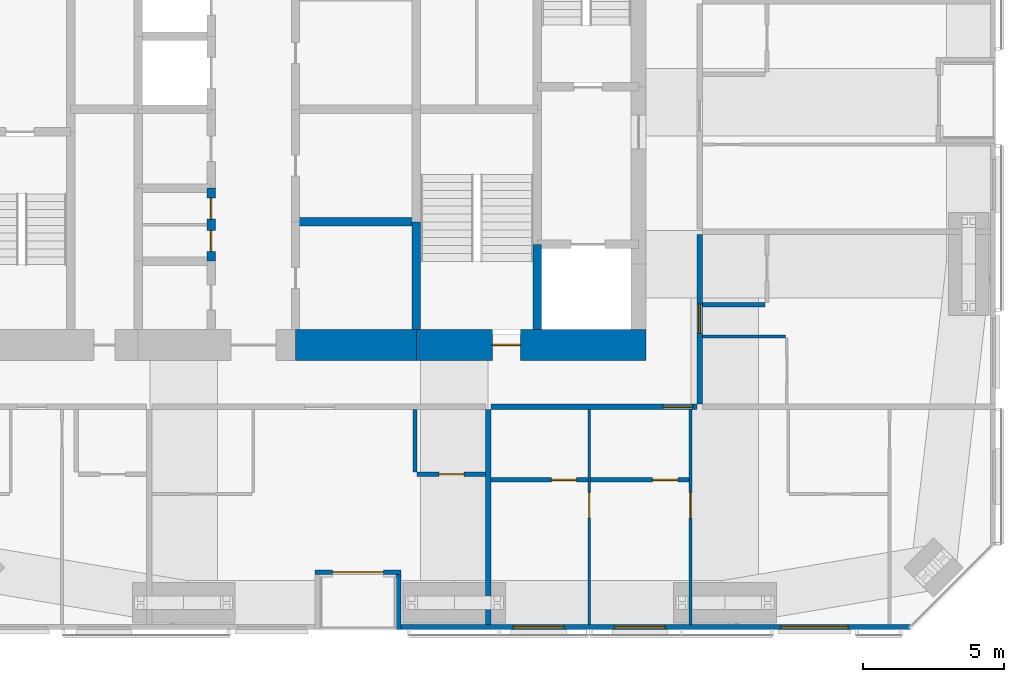
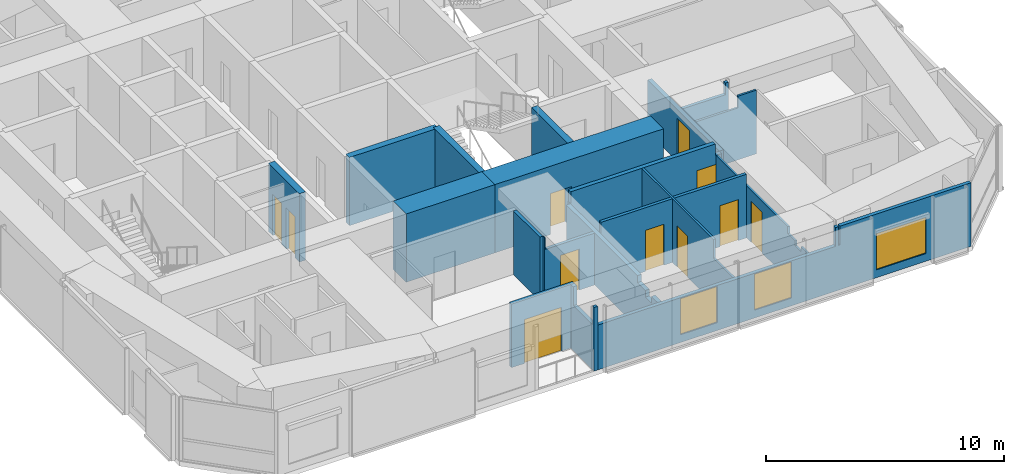
# One storey, part 14 of 19: 20 walls, 11 doors, 3 windows, 14 openings.
"""IFC4 building model written with IfcOpenShell, lengths in metres."""

from ifc_helpers import new_model, si_unit, direction, frame, frame_2d, origin, place, context, subcontext, project, spatial, polyline, rectangle, outline, extrude, material, layer, layer_set, constituent, constituent_set, type_object, element, fill, save


model = new_model("IFC4")

# Units and contexts
model_context = context("Model", 3, precision=1e-05, world=origin(), true_north=direction((0.0, 1.0)))
body_context = subcontext(model_context, "Body", "Model", "MODEL_VIEW")
ifc_project = project(units=[si_unit("LENGTHUNIT", "METRE"), si_unit("AREAUNIT", "SQUARE_METRE"), si_unit("VOLUMEUNIT", "CUBIC_METRE"), si_unit("PLANEANGLEUNIT", "RADIAN"), si_unit("MASSUNIT", "GRAM", prefix="KILO")], contexts=[model_context])

# Site, building, storey
site_placement = place(None, origin())
site = spatial("IfcSite", under=ifc_project, at=site_placement, CompositionType="ELEMENT")
building_placement = place(site_placement, origin())
building = spatial("IfcBuilding", under=site, at=building_placement, Name="Jalousie Tower", CompositionType="ELEMENT")
storey_placement = place(building_placement, frame((0.0, 0.0, 224.949951171875)))
storey = spatial("IfcBuildingStorey", under=building, at=storey_placement, Name="L61", CompositionType="ELEMENT", Elevation=224.949951171875)

# Wall, opening, door
ifc_material_1 = material(Name="Concrete block ASTM C90", Category="concrete")
ifc_constituent_1 = constituent(ifc_material_1, Name="Body")
ifc_material_2 = material(Name="Render")
ifc_constituent_2 = constituent(ifc_material_2, Name="Finish")
ifc_constituent_set_1 = constituent_set(constituents=[ifc_constituent_1, ifc_constituent_2])
wall_type_1 = type_object("IfcWallType", Name="BATHROOM WALL 150", PredefinedType="PLUMBINGWALL", material=ifc_constituent_set_1)
wall_1_placement = place(storey_placement, frame((35.925048828125, 5.52490234375, 0.0), z_axis=(0.0, 0.0, 1.0), x_axis=(1.0, 0.0, 0.0)))
wall_1 = element("IfcWall", 1, at=wall_1_placement, inside=storey, type_object=wall_type_1, Name="Bathroom Wall 150 L61", PredefinedType="PLUMBINGWALL", context=body_context, shape_type="SweptSolid", body=[
    extrude(outline(polyline([(0.0, 0.0), (2.425048828125, 0.0), (2.425048828125, 3.260009765625), (2.425048828125, 2.66015625), (0.0400390625, 2.66015625), (0.0400390625, 3.260009765625), (0.0, 3.260009765625), (0.0, 0.0)])), frame((0.0, 0.074951171875, 0.0), z_axis=(0.0, -1.0, 0.0), x_axis=(1.0, 0.0, 0.0)), (0.0, 0.0, 1.0), 0.14990234375),
])
opening_1_placement = place(wall_1_placement, frame((0.77490234375, 0.0, 0.0)))
opening_1 = element("IfcOpeningElement", 2, at=opening_1_placement, cuts=wall_1, Name="Opening D3", PredefinedType="OPENING", context=body_context, shape_type="SweptSolid", body=[
    extrude(rectangle(XDim=0.89990234375, YDim=2.10009765625, at=frame_2d((0.449951171875, 1.050048828125))), frame((0.0, 0.0849609375, 0.0), z_axis=(0.0, -1.0, 0.0), x_axis=(1.0, 0.0, 0.0)), (0.0, 0.0, 1.0), 0.169921875),
])
ifc_material_3 = material(Name="Timber door", Category="wood")
door_type_1 = type_object("IfcDoorType", Name="BATHROOM DOOR 900", OperationType="SINGLE_SWING_LEFT", PredefinedType="DOOR", material=ifc_material_3)
door_1_placement = place(opening_1_placement, origin())
door_1 = element("IfcDoor", 3, at=door_1_placement, inside=storey, type_object=door_type_1, Name="Apartment 6102 bathroom door", OperationType="SINGLE_SWING_RIGHT", OverallHeight=2.10009765625, OverallWidth=0.89990234375, PredefinedType="DOOR", context=body_context, shape_type="SweptSolid", body=[
    extrude(rectangle(XDim=0.89990234375, YDim=2.10009765625, at=frame_2d((0.449951171875, 1.050048828125))), frame((0.0, 0.02490234375, 0.0), z_axis=(0.0, -1.0, 0.0), x_axis=(1.0, 0.0, 0.0)), (0.0, 0.0, 1.0), 0.050048828125),
])
fill(opening_1, door_1)

# Wall
wall_2_placement = place(storey_placement, frame((35.85009765625, 5.60009765625, 0.0), z_axis=(0.0, 0.0, 1.0), x_axis=(0.0, 1.0, 0.0)))
element("IfcWall", 4, at=wall_2_placement, inside=storey, type_object=wall_type_1, Name="Bathroom Wall 150 L61", PredefinedType="PLUMBINGWALL", context=body_context, shape_type="SweptSolid", body=[
    extrude(rectangle(XDim=2.224853515625, YDim=0.14990234375, at=frame_2d((1.1123046875, 0.0))), origin(), (0.0, 0.0, 1.0), 3.260009765625),
])

# Wall, opening, door
wall_3_placement = place(storey_placement, frame((38.550048828125, 5.324951171875, 0.0), z_axis=(0.0, 0.0, 1.0), x_axis=(1.0, 0.0, 0.0)))
wall_3 = element("IfcWall", 5, at=wall_3_placement, inside=storey, type_object=wall_type_1, Name="Bathroom Wall 150 L61", PredefinedType="PLUMBINGWALL", context=body_context, shape_type="SweptSolid", body=[
    extrude(rectangle(XDim=3.449951171875, YDim=0.14990234375, at=frame_2d((1.72509765625, 0.0))), origin(), (0.0, 0.0, 1.0), 3.260009765625),
])
opening_2_placement = place(wall_3_placement, frame((2.14990234375, 0.0, 0.0)))
opening_2 = element("IfcOpeningElement", 6, at=opening_2_placement, cuts=wall_3, Name="Opening D3", PredefinedType="OPENING", context=body_context, shape_type="SweptSolid", body=[
    extrude(rectangle(XDim=0.89990234375, YDim=2.10009765625, at=frame_2d((0.449951171875, 1.050048828125))), frame((0.0, 0.0849609375, 0.0), z_axis=(0.0, -1.0, 0.0), x_axis=(1.0, 0.0, 0.0)), (0.0, 0.0, 1.0), 0.169921875),
])
door_2_placement = place(opening_2_placement, origin())
door_2 = element("IfcDoor", 7, at=door_2_placement, inside=storey, type_object=door_type_1, Name="Apartment 6103 bedroom 1 bathroom door", OperationType="SINGLE_SWING_RIGHT", OverallHeight=2.10009765625, OverallWidth=0.89990234375, PredefinedType="DOOR", context=body_context, shape_type="SweptSolid", body=[
    extrude(rectangle(XDim=0.89990234375, YDim=2.10009765625, at=frame_2d((0.449951171875, 1.050048828125))), frame((0.0, 0.02490234375, 0.0), z_axis=(0.0, -1.0, 0.0), x_axis=(1.0, 0.0, 0.0)), (0.0, 0.0, 1.0), 0.050048828125),
])
fill(opening_2, door_2)

wall_4_placement = place(storey_placement, frame((42.10009765625, 5.324951171875, 0.0), z_axis=(0.0, 0.0, 1.0), x_axis=(1.0, 0.0, 0.0)))
wall_4 = element("IfcWall", 8, at=wall_4_placement, inside=storey, type_object=wall_type_1, Name="Bathroom Wall 150 L61", PredefinedType="PLUMBINGWALL", context=body_context, shape_type="SweptSolid", body=[
    extrude(outline(polyline([(0.0, 0.0), (3.5, 0.0), (3.5, 3.260009765625), (3.5, 2.66015625), (3.489990234375, 2.66015625), (3.489990234375, 3.260009765625), (0.0, 3.260009765625), (0.0, 0.0)])), frame((0.0, 0.074951171875, 0.0), z_axis=(0.0, -1.0, 0.0), x_axis=(1.0, 0.0, 0.0)), (0.0, 0.0, 1.0), 0.14990234375),
])
opening_3_placement = place(wall_4_placement, frame((2.199951171875, 0.0, 0.0)))
opening_3 = element("IfcOpeningElement", 9, at=opening_3_placement, cuts=wall_4, Name="Opening D3", PredefinedType="OPENING", context=body_context, shape_type="SweptSolid", body=[
    extrude(rectangle(XDim=0.89990234375, YDim=2.10009765625, at=frame_2d((0.449951171875, 1.050048828125))), frame((0.0, 0.0849609375, 0.0), z_axis=(0.0, -1.0, 0.0), x_axis=(1.0, 0.0, 0.0)), (0.0, 0.0, 1.0), 0.169921875),
])
door_3_placement = place(opening_3_placement, origin())
door_3 = element("IfcDoor", 10, at=door_3_placement, inside=storey, type_object=door_type_1, Name="Apartment 6103 bedroom 2 bathroom door", OperationType="SINGLE_SWING_RIGHT", OverallHeight=2.10009765625, OverallWidth=0.89990234375, PredefinedType="DOOR", context=body_context, shape_type="SweptSolid", body=[
    extrude(rectangle(XDim=0.89990234375, YDim=2.10009765625, at=frame_2d((0.449951171875, 1.050048828125))), frame((0.0, 0.02490234375, 0.0), z_axis=(0.0, -1.0, 0.0), x_axis=(1.0, 0.0, 0.0)), (0.0, 0.0, 1.0), 0.050048828125),
])
fill(opening_3, door_3)

# Walls
wall_5_placement = place(storey_placement, frame((48.300048828125, 11.550048828125, 0.0), z_axis=(0.0, 0.0, 1.0), x_axis=(-1.0, 0.0, 0.0)))
element("IfcWall", 11, at=wall_5_placement, inside=storey, type_object=wall_type_1, Name="Bathroom Wall 150 L61", PredefinedType="PLUMBINGWALL", context=body_context, shape_type="SweptSolid", body=[
    extrude(outline(polyline([(0.0, 0.0), (2.22509765625, 0.0), (2.22509765625, 3.260009765625), (2.22509765625, 2.66015625), (0.139892578125, 2.66015625), (0.139892578125, 3.260009765625), (0.0, 3.260009765625), (0.0, 0.0)])), frame((0.0, 0.074951171875, 0.0), z_axis=(0.0, -1.0, 0.0), x_axis=(1.0, 0.0, 0.0)), (0.0, 0.0, 1.0), 0.14990234375),
])
ifc_material_4 = material(Name="Concrete f'c 120 MPa", Category="concrete")
ifc_layer_1 = layer(ifc_material_4, 1.10009765625)
ifc_layer_set_1 = layer_set([ifc_layer_1], Name="Concrete f'c 120 MPa")
wall_type_2 = type_object("IfcWallType", Name="CORE WALL 1100", PredefinedType="SHEAR", material=ifc_layer_set_1)
wall_6_placement = place(storey_placement, frame((31.60009765625, 10.125, 0.0), z_axis=(0.0, 0.0, 1.0), x_axis=(1.0, 0.0, 0.0)))
element("IfcWall", 12, at=wall_6_placement, inside=storey, type_object=wall_type_2, Name="Core wall SC L61", PredefinedType="SHEAR", context=body_context, shape_type="SweptSolid", body=[
    extrude(rectangle(XDim=4.2998046875, YDim=1.10009765625, at=frame_2d((2.14990234375, 0.0))), origin(), (0.0, 0.0, 1.0), 3.5),
])

# Wall, opening, door
wall_7_placement = place(storey_placement, frame((35.89990234375, 10.125, 0.0), z_axis=(0.0, 0.0, 1.0), x_axis=(1.0, 0.0, 0.0)))
wall_7 = element("IfcWall", 13, at=wall_7_placement, inside=storey, type_object=wall_type_2, Name="Core wall SD L61", PredefinedType="SHEAR", context=body_context, shape_type="SweptSolid", body=[
    extrude(rectangle(XDim=8.175048828125, YDim=1.10009765625, at=frame_2d((4.08740234375, 0.0))), origin(), (0.0, 0.0, 1.0), 3.5),
])
opening_4_placement = place(wall_7_placement, frame((2.699951171875, 0.0, 0.0)))
opening_4 = element("IfcOpeningElement", 14, at=opening_4_placement, cuts=wall_7, Name="Opening D10", PredefinedType="OPENING", context=body_context, shape_type="SweptSolid", body=[
    extrude(rectangle(XDim=1.0, YDim=2.10009765625, at=frame_2d((0.5, 1.050048828125))), frame((0.0, 0.56005859375, 0.0), z_axis=(0.0, -1.0, 0.0), x_axis=(1.0, 0.0, 0.0)), (0.0, 0.0, 1.0), 1.1201171875),
])
ifc_material_5 = material(Name="Steel fire door", Category="steel")
door_type_2 = type_object("IfcDoorType", Name="STAIR DOOR 1000", OperationType="SINGLE_SWING_LEFT", PredefinedType="DOOR", material=ifc_material_5)
door_4_placement = place(opening_4_placement, origin())
door_4 = element("IfcDoor", 15, at=door_4_placement, inside=storey, type_object=door_type_2, Name="Exit stair C door", OperationType="SINGLE_SWING_RIGHT", OverallHeight=2.10009765625, OverallWidth=1.0, PredefinedType="DOOR", context=body_context, shape_type="SweptSolid", body=[
    extrude(rectangle(XDim=1.0, YDim=2.10009765625, at=frame_2d((0.5, 1.050048828125))), frame((0.0, 0.02490234375, 0.0), z_axis=(0.0, -1.0, 0.0), x_axis=(1.0, 0.0, 0.0)), (0.0, 0.0, 1.0), 0.050048828125),
])
fill(opening_4, door_4)

# Wall, openings, doors
ifc_material_6 = material(Name="Concrete f'c 120 MPa", Category="concrete")
ifc_layer_2 = layer(ifc_material_6, 0.300048828125)
ifc_layer_set_2 = layer_set([ifc_layer_2], Name="Concrete f'c 120 MPa")
wall_type_3 = type_object("IfcWallType", Name="CORE WALL 300", PredefinedType="SHEAR", material=ifc_layer_set_2)
wall_8_placement = place(storey_placement, frame((28.60009765625, 13.10009765625, 0.0), z_axis=(0.0, 0.0, 1.0), x_axis=(0.0, 1.0, 0.0)))
wall_8 = element("IfcWall", 16, at=wall_8_placement, inside=storey, type_object=wall_type_3, Name="Core wall X28.6B L61", PredefinedType="SHEAR", context=body_context, shape_type="SweptSolid", body=[
    extrude(rectangle(XDim=2.599853515625, YDim=0.300048828125, at=frame_2d((1.2998046875, 0.0))), origin(), (0.0, 0.0, 1.0), 3.5),
])
opening_5_placement = place(wall_8_placement, frame((0.35009765625, 0.0, 0.0)))
opening_5 = element("IfcOpeningElement", 17, at=opening_5_placement, cuts=wall_8, Name="Opening D27", PredefinedType="OPENING", context=body_context, shape_type="SweptSolid", body=[
    extrude(rectangle(XDim=0.75, YDim=2.10009765625, at=frame_2d((0.375, 1.050048828125))), frame((0.0, 0.159912109375, 0.0), z_axis=(0.0, -1.0, 0.0), x_axis=(1.0, 0.0, 0.0)), (0.0, 0.0, 1.0), 0.320068359375),
])
opening_6_placement = place(wall_8_placement, frame((1.5, 0.0, 0.0)))
opening_6 = element("IfcOpeningElement", 18, at=opening_6_placement, cuts=wall_8, Name="Opening D27", PredefinedType="OPENING", context=body_context, shape_type="SweptSolid", body=[
    extrude(rectangle(XDim=0.75, YDim=2.10009765625, at=frame_2d((0.375, 1.050048828125))), frame((0.0, 0.159912109375, 0.0), z_axis=(0.0, -1.0, 0.0), x_axis=(1.0, 0.0, 0.0)), (0.0, 0.0, 1.0), 0.320068359375),
])
ifc_material_7 = material(Name="Steel fire door", Category="steel")
door_type_3 = type_object("IfcDoorType", Name="CORE ROOM DOOR 750", OperationType="SINGLE_SWING_LEFT", PredefinedType="DOOR", material=ifc_material_7)
door_5_placement = place(opening_5_placement, origin())
door_5 = element("IfcDoor", 19, at=door_5_placement, inside=storey, type_object=door_type_3, Name="Staff WC door", OperationType="SINGLE_SWING_RIGHT", OverallHeight=2.10009765625, OverallWidth=0.75, PredefinedType="DOOR", context=body_context, shape_type="SweptSolid", body=[
    extrude(rectangle(XDim=0.75, YDim=2.10009765625, at=frame_2d((0.375, 1.050048828125))), frame((0.0, 0.02490234375, 0.0), z_axis=(0.0, -1.0, 0.0), x_axis=(1.0, 0.0, 0.0)), (0.0, 0.0, 1.0), 0.050048828125),
])
fill(opening_5, door_5)
door_6_placement = place(opening_6_placement, origin())
door_6 = element("IfcDoor", 20, at=door_6_placement, inside=storey, type_object=door_type_3, Name="Store door", OperationType="SINGLE_SWING_LEFT", OverallHeight=2.10009765625, OverallWidth=0.75, PredefinedType="DOOR", context=body_context, shape_type="SweptSolid", body=[
    extrude(rectangle(XDim=0.75, YDim=2.10009765625, at=frame_2d((0.375, 1.050048828125))), frame((0.0, 0.02490234375, 0.0), z_axis=(0.0, -1.0, 0.0), x_axis=(1.0, 0.0, 0.0)), (0.0, 0.0, 1.0), 0.050048828125),
])
fill(opening_6, door_6)

# Walls
wall_9_placement = place(storey_placement, frame((35.89990234375, 10.675048828125, 0.0), z_axis=(0.0, 0.0, 1.0), x_axis=(0.0, 1.0, 0.0)))
element("IfcWall", 21, at=wall_9_placement, inside=storey, type_object=wall_type_3, Name="Core wall X35.9A L61", PredefinedType="SHEAR", context=body_context, shape_type="SweptSolid", body=[
    extrude(rectangle(XDim=3.824951171875, YDim=0.300048828125, at=frame_2d((1.91259765625, 0.0))), origin(), (0.0, 0.0, 1.0), 3.5),
])
wall_10_placement = place(storey_placement, frame((40.199951171875, 10.675048828125, 0.0), z_axis=(0.0, 0.0, 1.0), x_axis=(0.0, 1.0, 0.0)))
element("IfcWall", 22, at=wall_10_placement, inside=storey, type_object=wall_type_3, Name="Core wall X40.2A L61", PredefinedType="SHEAR", context=body_context, shape_type="SweptSolid", body=[
    extrude(rectangle(XDim=3.02490234375, YDim=0.300048828125, at=frame_2d((1.512451171875, 0.0))), origin(), (0.0, 0.0, 1.0), 3.5),
])
wall_11_placement = place(storey_placement, frame((31.60009765625, 14.5, 0.0), z_axis=(0.0, 0.0, 1.0), x_axis=(1.0, 0.0, 0.0)))
element("IfcWall", 23, at=wall_11_placement, inside=storey, type_object=wall_type_3, Name="Core wall Y31.6-14.5 L61", PredefinedType="SHEAR", context=body_context, shape_type="SweptSolid", body=[
    extrude(rectangle(XDim=4.2998046875, YDim=0.300048828125, at=frame_2d((2.14990234375, 0.0))), origin(), (0.0, 0.0, 1.0), 3.5),
])

# Wall, opening, door
ifc_material_8 = material(Name="Concrete block ASTM C90", Category="concrete")
ifc_constituent_3 = constituent(ifc_material_8, Name="Body")
ifc_material_9 = material(Name="Render")
ifc_constituent_4 = constituent(ifc_material_9, Name="Finish")
ifc_constituent_set_2 = constituent_set(constituents=[ifc_constituent_3, ifc_constituent_4])
wall_type_4 = type_object("IfcWallType", Name="CORRIDOR WALL 200", PredefinedType="PARTITIONING", material=ifc_constituent_set_2)
wall_12_placement = place(storey_placement, frame((38.550048828125, 7.925048828125, 0.0), z_axis=(0.0, 0.0, 1.0), x_axis=(1.0, 0.0, 0.0)))
wall_12 = element("IfcWall", 24, at=wall_12_placement, inside=storey, type_object=wall_type_4, Name="Corridor Wall 200 L61", PredefinedType="PARTITIONING", context=body_context, shape_type="SweptSolid", body=[
    extrude(outline(polyline([(0.0, 0.0), (7.324951171875, 0.0), (7.324951171875, 3.260009765625), (7.324951171875, 2.66015625), (7.014892578125, 2.66015625), (7.014892578125, 3.260009765625), (0.010009765625, 3.260009765625), (0.010009765625, 2.66015625), (0.0, 2.66015625), (0.0, 3.260009765625), (0.0, 0.0)])), frame((0.0, 0.10009765625, 0.0), z_axis=(0.0, -1.0, 0.0), x_axis=(1.0, 0.0, 0.0)), (0.0, 0.0, 1.0), 0.199951171875),
])
opening_7_placement = place(wall_12_placement, frame((6.125, 0.0, 0.0)))
opening_7 = element("IfcOpeningElement", 25, at=opening_7_placement, cuts=wall_12, Name="Opening D1", PredefinedType="OPENING", context=body_context, shape_type="SweptSolid", body=[
    extrude(rectangle(XDim=1.050048828125, YDim=2.199951171875, at=frame_2d((0.52490234375, 1.10009765625))), frame((0.0, 0.10986328125, 0.0), z_axis=(0.0, -1.0, 0.0), x_axis=(1.0, 0.0, 0.0)), (0.0, 0.0, 1.0), 0.219970703125),
])
ifc_material_10 = material(Name="Timber fire door", Category="wood")
door_type_4 = type_object("IfcDoorType", Name="APARTMENT ENTRANCE DOOR 1050", OperationType="SINGLE_SWING_LEFT", PredefinedType="DOOR", material=ifc_material_10)
door_7_placement = place(opening_7_placement, frame((1.050048828125, 0.0, 0.0), z_axis=(0.0, 0.0, 1.0), x_axis=(-1.0, 0.0, 0.0)))
door_7 = element("IfcDoor", 26, at=door_7_placement, inside=storey, type_object=door_type_4, Name="Apartment 6103 entrance", OperationType="SINGLE_SWING_RIGHT", OverallHeight=2.199951171875, OverallWidth=1.050048828125, PredefinedType="DOOR", context=body_context, shape_type="SweptSolid", body=[
    extrude(rectangle(XDim=1.050048828125, YDim=2.199951171875, at=frame_2d((0.52490234375, 1.10009765625))), frame((0.0, 0.02490234375, 0.0), z_axis=(0.0, -1.0, 0.0), x_axis=(1.0, 0.0, 0.0)), (0.0, 0.0, 1.0), 0.050048828125),
])
fill(opening_7, door_7)

wall_13_placement = place(storey_placement, frame((45.97509765625, 8.02490234375, 0.0), z_axis=(0.0, 0.0, 1.0), x_axis=(0.0, 1.0, 0.0)))
wall_13 = element("IfcWall", 27, at=wall_13_placement, inside=storey, type_object=wall_type_4, Name="Corridor Wall 200 L61", PredefinedType="PARTITIONING", context=body_context, shape_type="SweptSolid", body=[
    extrude(outline(polyline([(0.0, 0.0), (6.025146484375, 0.0), (6.02490234375, 3.260009765625), (6.02490234375, 2.66015625), (5.0849609375, 2.66015625), (0.0, 2.66015625), (0.0, 3.260009765625), (0.0, 0.0)])), frame((0.0, 0.10009765625, 0.0), z_axis=(0.0, -1.0, 0.0), x_axis=(1.0, 0.0, 0.0)), (0.0, 0.0, 1.0), 0.199951171875),
])
opening_8_placement = place(wall_13_placement, frame((2.512451171875, 0.0, 0.0)))
opening_8 = element("IfcOpeningElement", 28, at=opening_8_placement, cuts=wall_13, Name="Opening D1", PredefinedType="OPENING", context=body_context, shape_type="SweptSolid", body=[
    extrude(rectangle(XDim=1.050048828125, YDim=2.199951171875, at=frame_2d((0.52490234375, 1.10009765625))), frame((0.0, 0.10986328125, 0.0), z_axis=(0.0, -1.0, 0.0), x_axis=(1.0, 0.0, 0.0)), (0.0, 0.0, 1.0), 0.219970703125),
])
door_8_placement = place(opening_8_placement, frame((1.050048828125, 0.0, 0.0), z_axis=(0.0, 0.0, 1.0), x_axis=(-1.0, 0.0, 0.0)))
door_8 = element("IfcDoor", 29, at=door_8_placement, inside=storey, type_object=door_type_4, Name="Apartment 6106 entrance", OperationType="SINGLE_SWING_RIGHT", OverallHeight=2.199951171875, OverallWidth=1.050048828125, PredefinedType="DOOR", context=body_context, shape_type="SweptSolid", body=[
    extrude(rectangle(XDim=1.050048828125, YDim=2.199951171875, at=frame_2d((0.52490234375, 1.10009765625))), frame((0.0, 0.02490234375, 0.0), z_axis=(0.0, -1.0, 0.0), x_axis=(1.0, 0.0, 0.0)), (0.0, 0.0, 1.0), 0.050048828125),
])
fill(opening_8, door_8)

# Wall, openings, windows
ifc_material_11 = material(Name="Concrete f'c 40 MPa", Category="concrete")
ifc_constituent_5 = constituent(ifc_material_11, Name="Body")
ifc_material_12 = material(Name="Render, pastel sky blue")
ifc_constituent_6 = constituent(ifc_material_12, Name="Finish")
ifc_constituent_set_3 = constituent_set(constituents=[ifc_constituent_5, ifc_constituent_6])
wall_type_5 = type_object("IfcWallType", Name="EXTERNAL WALL 175 SKY BLUE RENDER", PredefinedType="SOLIDWALL", material=ifc_constituent_set_3)
wall_14_placement = place(storey_placement, frame((35.35009765625, 0.08740234375, 0.0), z_axis=(0.0, 0.0, 1.0), x_axis=(1.0, 0.0, 0.0)))
wall_14 = element("IfcWall", 30, at=wall_14_placement, inside=storey, type_object=wall_type_5, Name="External Wall 175 Sky Blue Render L61", PredefinedType="SOLIDWALL", context=body_context, shape_type="SweptSolid", body=[
    extrude(outline(polyline([(0.0, 0.0), (18.0986328125, 0.0), (18.0986328125, 3.260009765625), (11.73974609375, 3.260009765625), (11.73974609375, 2.300048828125), (11.65625, 2.300048828125), (11.65625, 3.260009765625), (11.52490234375, 3.260009765625), (11.52490234375, 2.300048828125), (0.0, 2.300048828125), (0.0, 0.0)])), frame((0.0, 0.08740234375, 0.0), z_axis=(0.0, -1.0, 0.0), x_axis=(1.0, 0.0, 0.0)), (0.0, 0.0, 1.0), 0.175048828125),
])
opening_9_placement = place(wall_14_placement, frame((4.0, 0.0, 0.39990234375)))
opening_9 = element("IfcOpeningElement", 31, at=opening_9_placement, cuts=wall_14, Name="Opening W-BED185", PredefinedType="OPENING", context=body_context, shape_type="SweptSolid", body=[
    extrude(rectangle(XDim=1.800048828125, YDim=1.85009765625, at=frame_2d((0.89990234375, 0.925048828125))), frame((0.0, 0.097412109375, 0.0), z_axis=(0.0, -1.0, 0.0), x_axis=(1.0, 0.0, 0.0)), (0.0, 0.0, 1.0), 0.195068359375),
])
opening_10_placement = place(wall_14_placement, frame((7.60009765625, 0.0, 0.39990234375)))
opening_10 = element("IfcOpeningElement", 32, at=opening_10_placement, cuts=wall_14, Name="Opening W-BED185", PredefinedType="OPENING", context=body_context, shape_type="SweptSolid", body=[
    extrude(rectangle(XDim=1.800048828125, YDim=1.85009765625, at=frame_2d((0.89990234375, 0.925048828125))), frame((0.0, 0.097412109375, 0.0), z_axis=(0.0, -1.0, 0.0), x_axis=(1.0, 0.0, 0.0)), (0.0, 0.0, 1.0), 0.195068359375),
])
opening_11_placement = place(wall_14_placement, frame((13.509521484375, 0.0, 0.39990234375)))
opening_11 = element("IfcOpeningElement", 33, at=opening_11_placement, cuts=wall_14, Name="Opening W-LIV185", PredefinedType="OPENING", context=body_context, shape_type="SweptSolid", body=[
    extrude(rectangle(XDim=2.39990234375, YDim=1.85009765625, at=frame_2d((1.199951171875, 0.925048828125))), frame((0.0, 0.097412109375, 0.0), z_axis=(0.0, -1.0, 0.0), x_axis=(1.0, 0.0, 0.0)), (0.0, 0.0, 1.0), 0.195068359375),
])
ifc_material_13 = material(Name="Aluminium frame, impact-rated glazing", Category="aluminium")
window_type_1 = type_object("IfcWindowType", Name="WINDOW BED 1800x1850", PartitioningType="SINGLE_PANEL", PredefinedType="WINDOW", material=ifc_material_13)
window_1_placement = place(opening_9_placement, origin())
window_1 = element("IfcWindow", 34, at=window_1_placement, inside=storey, type_object=window_type_1, Name="Apartment 6103 bedroom 1 window", OverallHeight=1.85009765625, OverallWidth=1.800048828125, PartitioningType="SINGLE_PANEL", PredefinedType="WINDOW", context=body_context, shape_type="SweptSolid", body=[
    extrude(rectangle(XDim=1.800048828125, YDim=1.85009765625, at=frame_2d((0.89990234375, 0.925048828125))), frame((0.0, 0.030029296875, 0.0), z_axis=(0.0, -1.0, 0.0), x_axis=(1.0, 0.0, 0.0)), (0.0, 0.0, 1.0), 0.06005859375),
])
fill(opening_9, window_1)
window_2_placement = place(opening_10_placement, origin())
window_2 = element("IfcWindow", 35, at=window_2_placement, inside=storey, type_object=window_type_1, Name="Apartment 6103 bedroom 2 window", OverallHeight=1.85009765625, OverallWidth=1.800048828125, PartitioningType="SINGLE_PANEL", PredefinedType="WINDOW", context=body_context, shape_type="SweptSolid", body=[
    extrude(rectangle(XDim=1.800048828125, YDim=1.85009765625, at=frame_2d((0.89990234375, 0.925048828125))), frame((0.0, 0.030029296875, 0.0), z_axis=(0.0, -1.0, 0.0), x_axis=(1.0, 0.0, 0.0)), (0.0, 0.0, 1.0), 0.06005859375),
])
fill(opening_10, window_2)
ifc_material_14 = material(Name="Aluminium frame, impact-rated glazing", Category="aluminium")
window_type_2 = type_object("IfcWindowType", Name="WINDOW LIV 2400x1850", PartitioningType="DOUBLE_PANEL_VERTICAL", PredefinedType="WINDOW", material=ifc_material_14)
window_3_placement = place(opening_11_placement, origin())
window_3 = element("IfcWindow", 36, at=window_3_placement, inside=storey, type_object=window_type_2, Name="Apartment 6103 living and dining room window", OverallHeight=1.85009765625, OverallWidth=2.39990234375, PartitioningType="SINGLE_PANEL", PredefinedType="WINDOW", context=body_context, shape_type="SweptSolid", body=[
    extrude(rectangle(XDim=2.39990234375, YDim=1.85009765625, at=frame_2d((1.199951171875, 0.925048828125))), frame((0.0, 0.030029296875, 0.0), z_axis=(0.0, -1.0, 0.0), x_axis=(1.0, 0.0, 0.0)), (0.0, 0.0, 1.0), 0.06005859375),
])
fill(opening_11, window_3)

# Wall, opening, door
wall_15_placement = place(storey_placement, frame((32.300048828125, 2.03759765625, 0.0), z_axis=(0.0, 0.0, 1.0), x_axis=(1.0, 0.0, 0.0)))
wall_15 = element("IfcWall", 37, at=wall_15_placement, inside=storey, type_object=wall_type_5, Name="External Wall 175 Sky Blue Render L61", PredefinedType="SOLIDWALL", context=body_context, shape_type="SweptSolid", body=[
    extrude(rectangle(XDim=3.050048828125, YDim=0.175048828125, at=frame_2d((1.52490234375, 0.0))), origin(), (0.0, 0.0, 1.0), 3.260009765625),
])
opening_12_placement = place(wall_15_placement, frame((0.625, 0.0, 0.0)))
opening_12 = element("IfcOpeningElement", 38, at=opening_12_placement, cuts=wall_15, Name="Opening D-BAL22", PredefinedType="OPENING", context=body_context, shape_type="SweptSolid", body=[
    extrude(rectangle(XDim=1.800048828125, YDim=2.25, at=frame_2d((0.89990234375, 1.125))), frame((0.0, 0.097412109375, 0.0), z_axis=(0.0, -1.0, 0.0), x_axis=(1.0, 0.0, 0.0)), (0.0, 0.0, 1.0), 0.195068359375),
])
ifc_material_15 = material(Name="Aluminium frame, impact-rated glazing", Category="aluminium")
door_type_5 = type_object("IfcDoorType", Name="BALCONY DOOR 1800x2250", OperationType="SLIDING_TO_LEFT", PredefinedType="DOOR", material=ifc_material_15)
door_9_placement = place(opening_12_placement, origin())
door_9 = element("IfcDoor", 39, at=door_9_placement, inside=storey, type_object=door_type_5, Name="Apartment 6102 studio living and sleeping room loggia door", OperationType="SLIDING_TO_LEFT", OverallHeight=2.25, OverallWidth=1.800048828125, PredefinedType="DOOR", context=body_context, shape_type="SweptSolid", body=[
    extrude(rectangle(XDim=1.800048828125, YDim=2.25, at=frame_2d((0.89990234375, 1.125))), frame((0.0, 0.02490234375, 0.0), z_axis=(0.0, -1.0, 0.0), x_axis=(1.0, 0.0, 0.0)), (0.0, 0.0, 1.0), 0.050048828125),
])
fill(opening_12, door_9)

# Wall
wall_16_placement = place(storey_placement, frame((35.262451171875, 0.0, 0.0), z_axis=(0.0, 0.0, 1.0), x_axis=(0.0, 1.0, 0.0)))
element("IfcWall", 40, at=wall_16_placement, inside=storey, type_object=wall_type_5, Name="External Wall 175 Sky Blue Render L61", PredefinedType="SOLIDWALL", context=body_context, shape_type="SweptSolid", body=[
    extrude(outline(polyline([(0.0, 0.0), (1.949951171875, 0.0), (1.949951171875, 3.260009765625), (1.75, 3.260009765625), (1.75, 2.300048828125), (0.14990234375, 2.300048828125), (0.14990234375, 3.260009765625), (0.0, 3.260009765625), (0.0, 0.0)])), frame((0.0, 0.08740234375, 0.0), z_axis=(0.0, -1.0, 0.0), x_axis=(1.0, 0.0, 0.0)), (0.0, 0.0, 1.0), 0.175048828125),
])

# Wall, opening, door
ifc_material_16 = material(Name="Gypsum board", Category="gypsum")
ifc_constituent_7 = constituent(ifc_material_16, Name="Body")
ifc_material_17 = material(Name="Light-gauge steel studs ASTM A653 SS Grade 33", Category="steel")
ifc_constituent_8 = constituent(ifc_material_17, Name="Framing")
ifc_constituent_set_4 = constituent_set(constituents=[ifc_constituent_7, ifc_constituent_8])
wall_type_6 = type_object("IfcWallType", Name="PARTITION 100", PredefinedType="PARTITIONING", material=ifc_constituent_set_4)
wall_17_placement = place(storey_placement, frame((42.050048828125, 0.175048828125, 0.0), z_axis=(0.0, 0.0, 1.0), x_axis=(0.0, 1.0, 0.0)))
wall_17 = element("IfcWall", 41, at=wall_17_placement, inside=storey, type_object=wall_type_6, Name="Partition 100 L61", PredefinedType="PARTITIONING", context=body_context, shape_type="SweptSolid", body=[
    extrude(outline(polyline([(0.0, 0.0), (7.64990234375, 0.0), (7.64990234375, 3.260009765625), (1.635009765625, 3.260009765625), (1.635009765625, 2.300048828125), (0.0, 2.300048828125), (0.0, 3.260009765625), (0.0, 0.0)])), frame((0.0, 0.050048828125, 0.0), z_axis=(0.0, -1.0, 0.0), x_axis=(1.0, 0.0, 0.0)), (0.0, 0.0, 1.0), 0.10009765625),
])
opening_13_placement = place(wall_17_placement, frame((3.800048828125, 0.0, 0.0)))
opening_13 = element("IfcOpeningElement", 42, at=opening_13_placement, cuts=wall_17, Name="Opening D2", PredefinedType="OPENING", context=body_context, shape_type="SweptSolid", body=[
    extrude(rectangle(XDim=0.89990234375, YDim=2.10009765625, at=frame_2d((0.449951171875, 1.050048828125))), frame((0.0, 0.06005859375, 0.0), z_axis=(0.0, -1.0, 0.0), x_axis=(1.0, 0.0, 0.0)), (0.0, 0.0, 1.0), 0.1201171875),
])
ifc_material_18 = material(Name="Timber door", Category="wood")
door_type_6 = type_object("IfcDoorType", Name="BEDROOM DOOR 900", OperationType="SINGLE_SWING_LEFT", PredefinedType="DOOR", material=ifc_material_18)
door_10_placement = place(opening_13_placement, frame((0.89990234375, 0.0, 0.0), z_axis=(0.0, 0.0, 1.0), x_axis=(-1.0, 0.0, 0.0)))
door_10 = element("IfcDoor", 43, at=door_10_placement, inside=storey, type_object=door_type_6, Name="Apartment 6103 bedroom 1 door", OperationType="SINGLE_SWING_LEFT", OverallHeight=2.10009765625, OverallWidth=0.89990234375, PredefinedType="DOOR", context=body_context, shape_type="SweptSolid", body=[
    extrude(rectangle(XDim=0.89990234375, YDim=2.10009765625, at=frame_2d((0.449951171875, 1.050048828125))), frame((0.0, 0.02490234375, 0.0), z_axis=(0.0, -1.0, 0.0), x_axis=(1.0, 0.0, 0.0)), (0.0, 0.0, 1.0), 0.050048828125),
])
fill(opening_13, door_10)

wall_18_placement = place(storey_placement, frame((45.64990234375, 0.175048828125, 0.0), z_axis=(0.0, 0.0, 1.0), x_axis=(0.0, 1.0, 0.0)))
wall_18 = element("IfcWall", 44, at=wall_18_placement, inside=storey, type_object=wall_type_6, Name="Partition 100 L61", PredefinedType="PARTITIONING", context=body_context, shape_type="SweptSolid", body=[
    extrude(outline(polyline([(0.52880859375, 2.300048828125), (0.0, 2.300048828125), (0.0, 0.0), (0.52880859375, 0.0), (0.52880859375, 0.25244140625), (1.021240234375, 0.25244140625), (1.021240234375, 0.0), (7.64990234375, 0.0), (7.64990234375, 2.66015625), (1.635009765625, 2.66015625), (1.635009765625, 2.300048828125), (1.021240234375, 2.300048828125), (1.021240234375, 2.047607421875), (0.52880859375, 2.047607421875), (0.52880859375, 2.300048828125)])), frame((0.0, 0.050048828125, 0.0), z_axis=(0.0, -1.0, 0.0), x_axis=(1.0, 0.0, 0.0)), (0.0, 0.0, 1.0), 0.10009765625),
])
opening_14_placement = place(wall_18_placement, frame((3.800048828125, 0.0, 0.0)))
opening_14 = element("IfcOpeningElement", 45, at=opening_14_placement, cuts=wall_18, Name="Opening D2", PredefinedType="OPENING", context=body_context, shape_type="SweptSolid", body=[
    extrude(rectangle(XDim=0.89990234375, YDim=2.10009765625, at=frame_2d((0.449951171875, 1.050048828125))), frame((0.0, 0.06005859375, 0.0), z_axis=(0.0, -1.0, 0.0), x_axis=(1.0, 0.0, 0.0)), (0.0, 0.0, 1.0), 0.1201171875),
])
door_11_placement = place(opening_14_placement, origin())
door_11 = element("IfcDoor", 46, at=door_11_placement, inside=storey, type_object=door_type_6, Name="Apartment 6103 bedroom 2 door", OperationType="SINGLE_SWING_RIGHT", OverallHeight=2.10009765625, OverallWidth=0.89990234375, PredefinedType="DOOR", context=body_context, shape_type="SweptSolid", body=[
    extrude(rectangle(XDim=0.89990234375, YDim=2.10009765625, at=frame_2d((0.449951171875, 1.050048828125))), frame((0.0, 0.02490234375, 0.0), z_axis=(0.0, -1.0, 0.0), x_axis=(1.0, 0.0, 0.0)), (0.0, 0.0, 1.0), 0.050048828125),
])
fill(opening_14, door_11)

# Walls
wall_19_placement = place(storey_placement, frame((49.02490234375, 10.425048828125, 0.0), z_axis=(0.0, 0.0, 1.0), x_axis=(-1.0, 0.0, 0.0)))
element("IfcWall", 47, at=wall_19_placement, inside=storey, type_object=wall_type_6, Name="Partition 100 L61", PredefinedType="PARTITIONING", context=body_context, shape_type="SweptSolid", body=[
    extrude(outline(polyline([(0.0, 0.0), (2.949951171875, 0.0), (2.949951171875, 3.260009765625), (2.949951171875, 2.66015625), (0.889892578125, 2.66015625), (0.889892578125, 3.260009765625), (0.0, 3.260009765625), (0.0, 0.0)])), frame((0.0, 0.050048828125, 0.0), z_axis=(0.0, -1.0, 0.0), x_axis=(1.0, 0.0, 0.0)), (0.0, 0.0, 1.0), 0.10009765625),
])
ifc_material_19 = material(Name="Concrete block ASTM C90", Category="concrete")
ifc_constituent_9 = constituent(ifc_material_19, Name="Body")
ifc_material_20 = material(Name="Render")
ifc_constituent_10 = constituent(ifc_material_20, Name="Finish")
ifc_constituent_set_5 = constituent_set(constituents=[ifc_constituent_9, ifc_constituent_10])
wall_type_7 = type_object("IfcWallType", Name="PARTY WALL 200", PredefinedType="PARTITIONING", material=ifc_constituent_set_5)
wall_20_placement = place(storey_placement, frame((38.449951171875, 0.175048828125, 0.0), z_axis=(0.0, 0.0, 1.0), x_axis=(0.0, 1.0, 0.0)))
element("IfcWall", 48, at=wall_20_placement, inside=storey, type_object=wall_type_7, Name="Party Wall 200 L61", PredefinedType="PARTITIONING", context=body_context, shape_type="SweptSolid", body=[
    extrude(outline(polyline([(0.52880859375, 2.300048828125), (0.0, 2.300048828125), (0.0, 0.0), (0.52880859375, 0.0), (0.52880859375, 0.33837890625), (1.021240234375, 0.33837890625), (1.021240234375, 0.0), (7.64990234375, 0.0), (7.64990234375, 2.66015625), (1.68505859375, 2.66015625), (1.68505859375, 2.300048828125), (1.021240234375, 2.300048828125), (1.021240234375, 1.961669921875), (0.52880859375, 1.961669921875), (0.52880859375, 2.300048828125)])), frame((0.0, 0.10009765625, 0.0), z_axis=(0.0, -1.0, 0.0), x_axis=(1.0, 0.0, 0.0)), (0.0, 0.0, 1.0), 0.199951171875),
])

save(model, "model.ifc")
